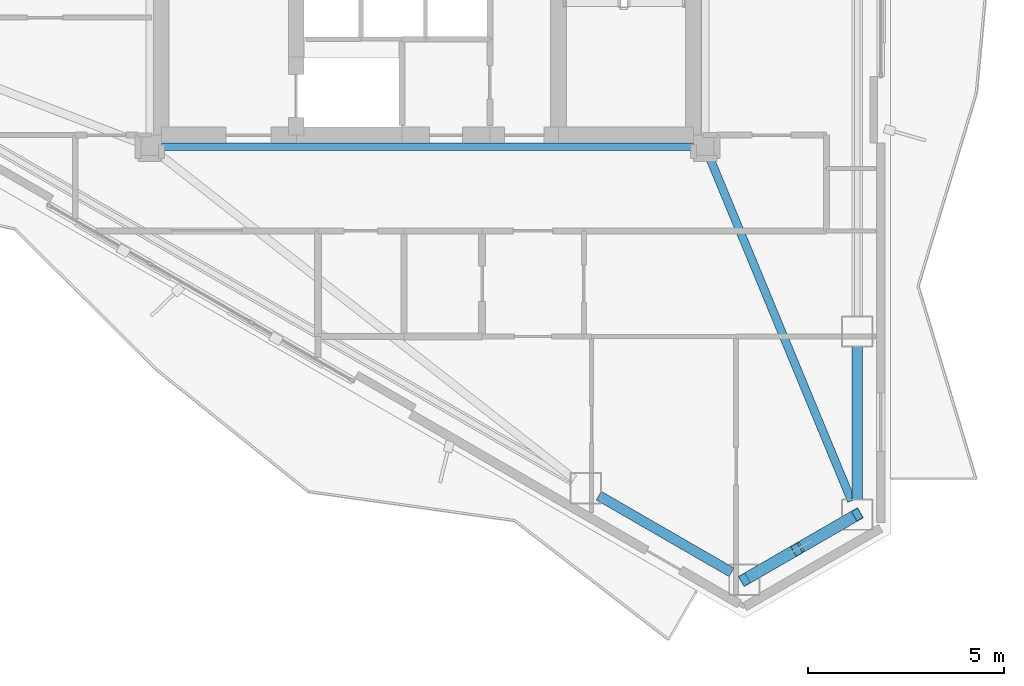
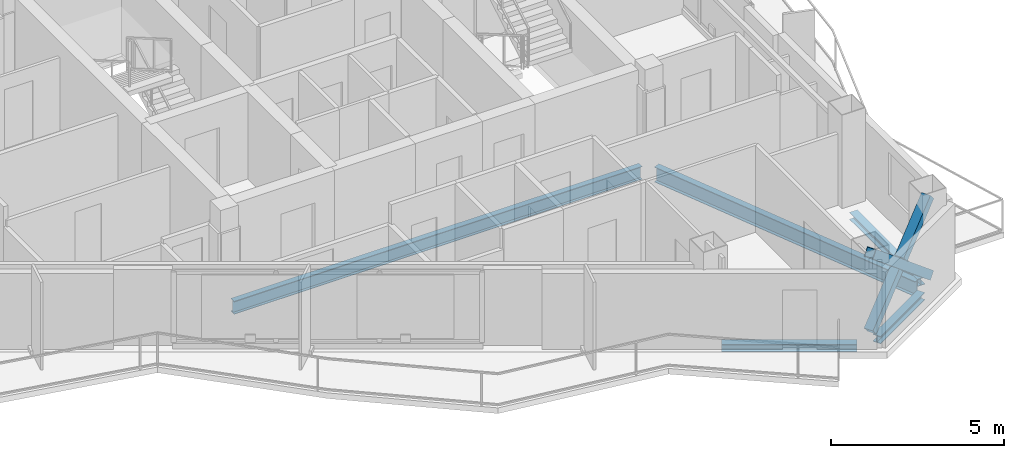
# One storey, part 5 of 22: 5 beams, 3 members.
"""IFC4 building model written with IfcOpenShell, lengths in metres."""

from ifc_helpers import new_model, si_unit, direction, frame, origin, origin_2d, place, context, subcontext, project, spatial, hollow_rectangle, i_section, extrude, material, material_profile, profile_set, type_object, element, save


model = new_model("IFC4")

# Units and contexts
model_context = context("Model", 3, precision=1e-05, world=origin(), true_north=direction((0.0, 1.0)))
body_context = subcontext(model_context, "Body", "Model", "MODEL_VIEW")
ifc_project = project(units=[si_unit("LENGTHUNIT", "METRE"), si_unit("AREAUNIT", "SQUARE_METRE"), si_unit("VOLUMEUNIT", "CUBIC_METRE"), si_unit("PLANEANGLEUNIT", "RADIAN"), si_unit("MASSUNIT", "GRAM", prefix="KILO")], contexts=[model_context])

# Site, building, storey
site_placement = place(None, origin())
site = spatial("IfcSite", under=ifc_project, at=site_placement, CompositionType="ELEMENT")
building_placement = place(site_placement, origin())
building = spatial("IfcBuilding", under=site, at=building_placement, Name="Mersakhor Tower and Convention Hall", CompositionType="ELEMENT")
storey_placement = place(building_placement, frame((0.0, 0.0, 198.60009765625)))
storey = spatial("IfcBuildingStorey", under=building, at=storey_placement, Name="L55", CompositionType="ELEMENT", Elevation=198.60009765625)

# Beams
ifc_material_1 = material(Name="Steel S355", Category="steel")
ifc_material_profile_1 = material_profile(ifc_material_1, i_section(OverallWidth=0.19140625, OverallDepth=0.4599609375, WebThickness=0.010009765625, FlangeThickness=0.01611328125, at=origin_2d()), Name="UB 457x191x82")
ifc_profile_set_1 = profile_set([ifc_material_profile_1], Name="Steel S355")
beam_type_1 = type_object("IfcBeamType", Name="BM-FB-457", PredefinedType="BEAM", material=ifc_profile_set_1)
beam_1_placement = place(storey_placement, frame((35.820068359375, 20.449951171875, -0.460205078125), z_axis=(-1.0, 0.0, 0.0), x_axis=(0.0, -1.0, 0.0)))
element("IfcBeam", 1, at=beam_1_placement, inside=storey, type_object=beam_type_1, Name="L55 Core Ring Tie Beam CRB-4", PredefinedType="BEAM", context=body_context, shape_type="SweptSolid", body=[
    extrude(i_section(OverallWidth=0.19140625, OverallDepth=0.4599609375, WebThickness=0.010009765625, FlangeThickness=0.01611328125, at=origin_2d()), origin(), (0.0, 0.0, 1.0), 13.64013671875),
])
ifc_material_2 = material(Name="Steel S355", Category="steel")
ifc_material_profile_2 = material_profile(ifc_material_2, i_section(OverallWidth=0.2099609375, OverallDepth=0.53662109375, WebThickness=0.0107421875, FlangeThickness=0.017333984375, at=origin_2d()), Name="UB 533x210x101")
ifc_profile_set_2 = profile_set([ifc_material_profile_2], Name="Steel S355")
beam_type_2 = type_object("IfcBeamType", Name="BM-FB-533", PredefinedType="BEAM", material=ifc_profile_set_2)
beam_2_placement = place(storey_placement, frame((36.20703125, 20.19140625, -0.498291015625), z_axis=(0.382178028302, -0.924088715808, 0.0), x_axis=(0.924088715808, 0.382178028302, 0.0)))
element("IfcBeam", 2, at=beam_2_placement, inside=storey, type_object=beam_type_2, Name="L55 Primary Floor Girder FG-4", PredefinedType="BEAM", context=body_context, shape_type="SweptSolid", body=[
    extrude(i_section(OverallWidth=0.2099609375, OverallDepth=0.53662109375, WebThickness=0.0107421875, FlangeThickness=0.017333984375, at=origin_2d()), origin(), (0.0, 0.0, 1.0), 9.514404296875),
])
ifc_material_3 = material(Name="Steel S355", Category="steel")
ifc_material_profile_3 = material_profile(ifc_material_3, i_section(OverallWidth=0.25634765625, OverallDepth=0.26025390625, WebThickness=0.01025390625, FlangeThickness=0.017333984375, at=origin_2d()), Name="UC 254x254x89")
ifc_profile_set_3 = profile_set([ifc_material_profile_3], Name="Steel S355")
beam_type_3 = type_object("IfcBeamType", Name="BM-SPD-UC254", PredefinedType="SPANDREL", material=ifc_profile_set_3)
beam_3_placement = place(storey_placement, frame((39.98828125, 15.34716796875, -0.360107421875), z_axis=(0.0, -1.0, 0.0), x_axis=(1.0, 0.0, 0.0)))
element("IfcBeam", 3, at=beam_3_placement, inside=storey, type_object=beam_type_3, Name="L55 Perimeter Spandrel Beam SPB-07", PredefinedType="SPANDREL", context=body_context, shape_type="SweptSolid", body=[
    extrude(i_section(OverallWidth=0.25634765625, OverallDepth=0.26025390625, WebThickness=0.01025390625, FlangeThickness=0.017333984375, at=origin_2d()), origin(), (0.0, 0.0, 1.0), 3.919189453125),
])
beam_4_placement = place(storey_placement, frame((39.6591796875, 10.85791015625, -0.360107421875), z_axis=(-0.866036909293, -0.499980071345, 0.0), x_axis=(0.499980071345, -0.866036909293, 0.0)))
element("IfcBeam", 4, at=beam_4_placement, inside=storey, type_object=beam_type_3, Name="L55 Perimeter Spandrel Beam SPB-08", PredefinedType="SPANDREL", context=body_context, shape_type="SweptSolid", body=[
    extrude(i_section(OverallWidth=0.25634765625, OverallDepth=0.26025390625, WebThickness=0.01025390625, FlangeThickness=0.017333984375, at=origin_2d()), origin(), (0.0, 0.0, 1.0), 2.5703125),
])
beam_5_placement = place(storey_placement, frame((36.77490234375, 9.57275390625, -0.360107421875), z_axis=(-0.866007153761, 0.500031608635, 0.0), x_axis=(-0.500031608635, -0.866007153761, 0.0)))
element("IfcBeam", 5, at=beam_5_placement, inside=storey, type_object=beam_type_3, Name="L55 Perimeter Spandrel Beam SPB-09", PredefinedType="SPANDREL", context=body_context, shape_type="SweptSolid", body=[
    extrude(i_section(OverallWidth=0.25634765625, OverallDepth=0.26025390625, WebThickness=0.01025390625, FlangeThickness=0.017333984375, at=origin_2d()), origin(), (0.0, 0.0, 1.0), 3.919189453125),
])

# Members
ifc_material_4 = material(Name="Steel S355", Category="steel")
ifc_material_profile_4 = material_profile(ifc_material_4, hollow_rectangle(XDim=0.300048828125, YDim=0.300048828125, WallThickness=0.01611328125, at=origin_2d()), Name="SHS 300x300x16")
ifc_profile_set_4 = profile_set([ifc_material_profile_4], Name="Steel S355")
member_type = type_object("IfcMemberType", Name="MB-BRC-SHS300", PredefinedType="BRACE", material=ifc_profile_set_4)
member_1_placement = place(storey_placement, frame((39.98828125, 11.048095703125, 0.14990234375), z_axis=(-0.665824923443, -0.384424564314, 0.639448923429), x_axis=(0.50001011158, -0.866019565782, 0.0)))
element("IfcMember", 6, at=member_1_placement, inside=storey, type_object=member_type, Name="L55 Chamfer Braced Frame Diagonal CB-2A", PredefinedType="BRACE", context=body_context, shape_type="SweptSolid", body=[
    extrude(hollow_rectangle(XDim=0.300048828125, YDim=0.300048828125, WallThickness=0.01611328125, at=origin_2d()), origin(), (0.0, 0.0, 1.0), 4.331787109375),
])
member_2_placement = place(storey_placement, frame((37.10400390625, 9.3828125, 0.14990234375), z_axis=(0.665831077073, 0.384475140135, 0.639412107659), x_axis=(-0.50005597947, 0.86599308161, 0.0)))
element("IfcMember", 7, at=member_2_placement, inside=storey, type_object=member_type, Name="L55 Chamfer Braced Frame Diagonal CB-2B Lower Half", PredefinedType="BRACE", context=body_context, shape_type="SweptSolid", body=[
    extrude(hollow_rectangle(XDim=0.300048828125, YDim=0.300048828125, WallThickness=0.01611328125, at=origin_2d()), origin(), (0.0, 0.0, 1.0), 2.00537109375),
])
member_3_placement = place(storey_placement, frame((38.6533203125, 10.277099609375, 1.6376953125), z_axis=(0.665763296387, 0.384506307606, 0.639463941592), x_axis=(-0.500124558158, 0.865953478154, 0.0)))
element("IfcMember", 8, at=member_3_placement, inside=storey, type_object=member_type, Name="L55 Chamfer Braced Frame Diagonal CB-2B Upper Half", PredefinedType="BRACE", context=body_context, shape_type="SweptSolid", body=[
    extrude(hollow_rectangle(XDim=0.300048828125, YDim=0.300048828125, WallThickness=0.01611328125, at=origin_2d()), origin(), (0.0, 0.0, 1.0), 2.005126953125),
])

save(model, "model.ifc")
